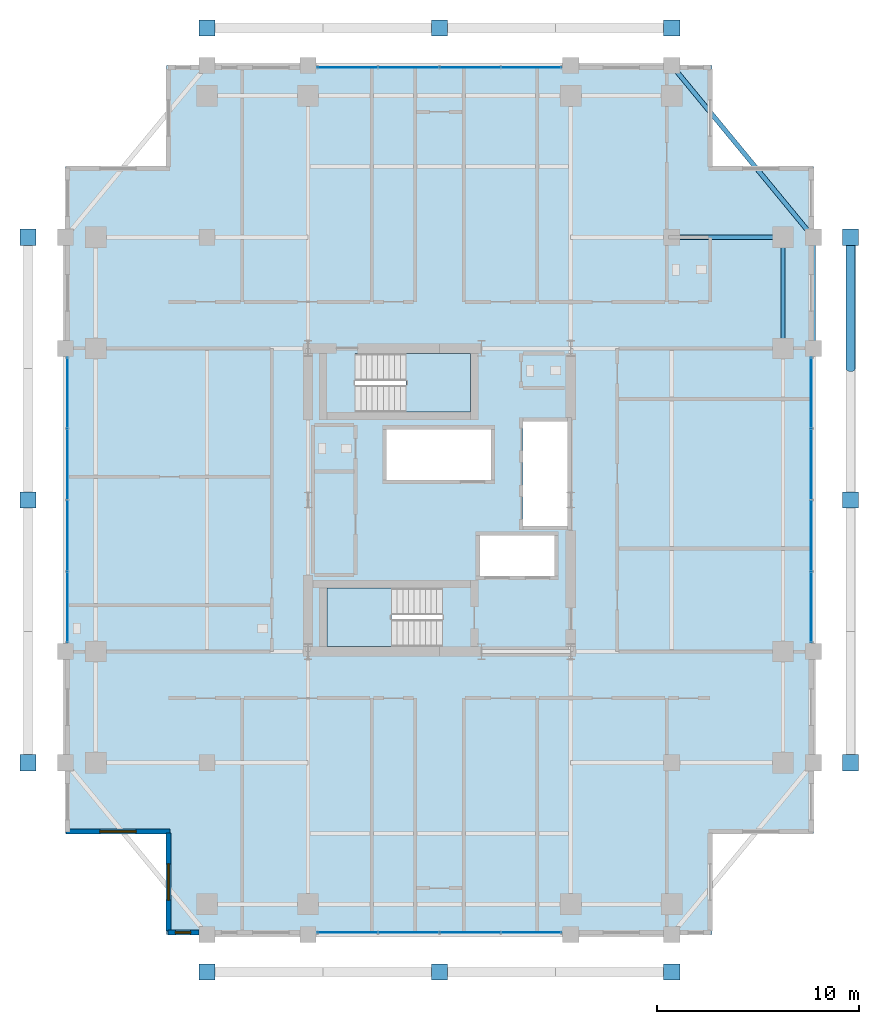
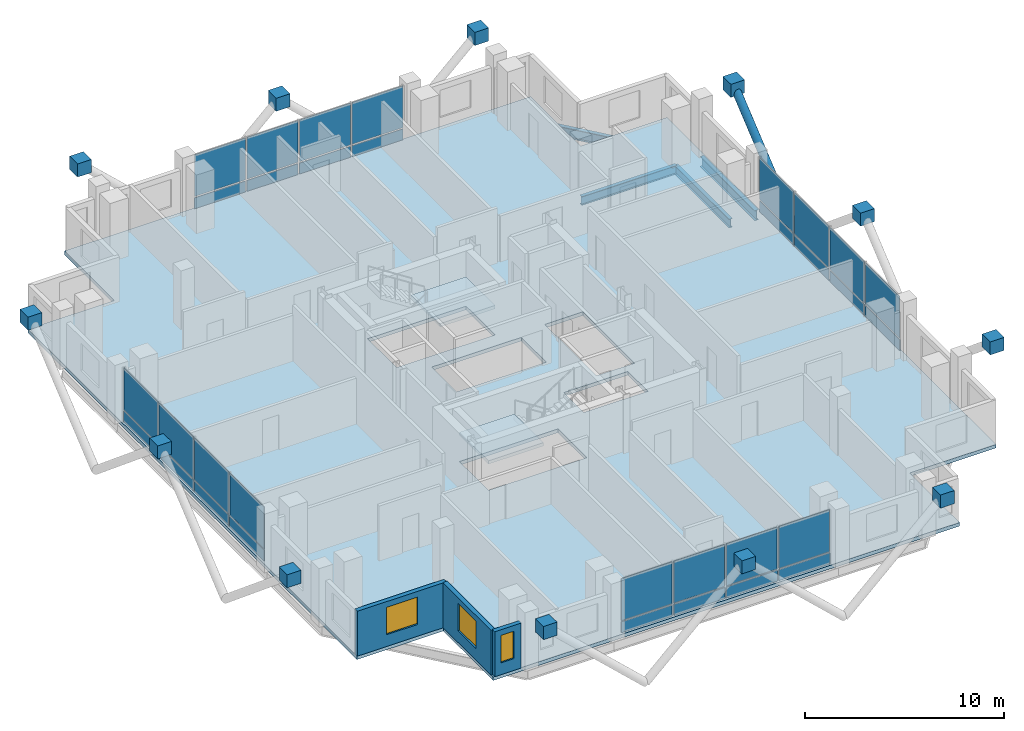
# One storey, part 17 of 23: 44 plates, 4 beams, 3 slabs, 3 walls, 3 windows, 1 member, 3 openings, 6 elements without a shape of their own.
"""IFC4 building model written with IfcOpenShell, lengths in metres."""

from ifc_helpers import new_model, si_unit, direction, frame, frame_2d, origin, origin_2d, place, context, subcontext, project, spatial, polyline, rectangle, hollow_circle, i_section, outline, extrude, material, layer, layer_set, material_profile, profile_set, type_object, element, fill, aggregate, save


model = new_model("IFC4")

# Units and contexts
model_context = context("Model", 3, precision=1e-05, world=origin(), true_north=direction((0.0, 1.0)))
body_context = subcontext(model_context, "Body", "Model", "MODEL_VIEW")
ifc_project = project(units=[si_unit("LENGTHUNIT", "METRE"), si_unit("AREAUNIT", "SQUARE_METRE"), si_unit("VOLUMEUNIT", "CUBIC_METRE"), si_unit("PLANEANGLEUNIT", "RADIAN"), si_unit("MASSUNIT", "GRAM", prefix="KILO")], contexts=[model_context])

# Site, building, storey
site_placement = place(None, origin())
site = spatial("IfcSite", under=ifc_project, at=site_placement, CompositionType="ELEMENT")
building_placement = place(site_placement, origin())
building = spatial("IfcBuilding", under=site, at=building_placement, Name="Barlavira Tower and Art Museum", CompositionType="ELEMENT")
storey_placement = place(building_placement, frame((0.0, 0.0, 205.199951171875)))
storey = spatial("IfcBuildingStorey", under=building, at=storey_placement, Name="L53", CompositionType="ELEMENT", Elevation=205.199951171875)

# Member
ifc_material_1 = material(Name="Steel S355", Category="steel")
ifc_material_profile_1 = material_profile(ifc_material_1, hollow_circle(Radius=0.228515625, WallThickness=0.02001953125, at=origin_2d()), Name="CHS 457.0x20.0")
ifc_profile_set_1 = profile_set([ifc_material_profile_1], Name="Steel S355")
member_type = type_object("IfcMemberType", Name="Pale-Metal Exoskeleton Diagrid Tube CHS 457x20 Steel S355", PredefinedType="BRACE", material=ifc_profile_set_1)
member_placement = place(storey_placement, frame((20.35009765625, 6.5, -1.919921875), z_axis=(0.0, 0.769196053329, 0.639012857104), x_axis=(-1.0, 0.0, 0.0)))
element("IfcMember", 1, at=member_placement, inside=storey, type_object=member_type, Name="L53 Exoskeleton Diagrid Tube E", PredefinedType="BRACE", context=body_context, shape_type="SweptSolid", body=[
    extrude(hollow_circle(Radius=0.228515625, WallThickness=0.02001953125, at=origin_2d()), origin(), (0.0, 0.0, 1.0), 8.450439453125),
])

# Beams
ifc_material_profile_2 = material_profile(ifc_material_1, i_section(OverallWidth=0.22998046875, OverallDepth=0.616943359375, WebThickness=0.01318359375, FlangeThickness=0.022216796875, at=origin_2d()), Name="W610x140.0")
ifc_profile_set_2 = profile_set([ifc_material_profile_2], Name="Steel S355")
beam_type_1 = type_object("IfcBeamType", Name="Upper Shaft Spandrel Edge Beam W610x140 Steel S355", PredefinedType="SPANDREL", material=ifc_profile_set_2)
beam_1_placement = place(storey_placement, frame((18.5, 7.5, -0.528564453125), z_axis=(0.0, 1.0, 0.0), x_axis=(-1.0, 0.0, 0.0)))
element("IfcBeam", 2, at=beam_1_placement, inside=storey, type_object=beam_type_1, Name="L53 Spandrel 7", PredefinedType="SPANDREL", context=body_context, shape_type="SweptSolid", body=[
    extrude(i_section(OverallWidth=0.22998046875, OverallDepth=0.616943359375, WebThickness=0.01318359375, FlangeThickness=0.022216796875, at=origin_2d()), origin(), (0.0, 0.0, 1.0), 5.5),
])
beam_2_placement = place(storey_placement, frame((18.5, 13.0, -0.528564453125), z_axis=(-0.635707252861, 0.771930235617, 0.0), x_axis=(-0.771930235617, -0.635707252861, 0.0)))
element("IfcBeam", 3, at=beam_2_placement, inside=storey, type_object=beam_type_1, Name="L53 Spandrel 8", PredefinedType="SPANDREL", context=body_context, shape_type="SweptSolid", body=[
    extrude(i_section(OverallWidth=0.22998046875, OverallDepth=0.616943359375, WebThickness=0.01318359375, FlangeThickness=0.022216796875, at=origin_2d()), origin(), (0.0, 0.0, 1.0), 11.011474609375),
])
ifc_material_profile_3 = material_profile(ifc_material_1, i_section(OverallWidth=0.2109375, OverallDepth=0.5390625, WebThickness=0.01171875, FlangeThickness=0.018798828125, at=origin_2d()), Name="W530x109.0")
ifc_profile_set_3 = profile_set([ifc_material_profile_3], Name="Steel S355")
beam_type_2 = type_object("IfcBeamType", Name="Zone 3-4 Primary Floor Girder W530x109 Steel S355", PredefinedType="BEAM", material=ifc_profile_set_3)
for number, where, z_axis, x_axis, name in (
    (4, (17.0, 7.5, -0.489501953125), (0.0, 1.0, 0.0), (-1.0, 0.0, 0.0), "L53 Girder M-E3"),
    (5, (11.5, 13.0, -0.489501953125), (1.0, 0.0, 0.0), (0.0, 1.0, 0.0), "L53 Girder I-N4"),
):
    element("IfcBeam", number, at=place(storey_placement, frame(where, z_axis=z_axis, x_axis=x_axis)), inside=storey, type_object=beam_type_2, Name=name, PredefinedType="BEAM", context=body_context, shape_type="SweptSolid", body=[
        extrude(i_section(OverallWidth=0.2109375, OverallDepth=0.5390625, WebThickness=0.01171875, FlangeThickness=0.018798828125, at=origin_2d()), origin(), (0.0, 0.0, 1.0), 5.5),
    ])

# Curtain wall, plates
ifc_material_2 = material(Name="Low-iron coastal laminated glass", Category="glass")
ifc_layer_1 = layer(ifc_material_2, 0.199951171875, Name="Low-iron coastal laminated glass")
ifc_layer_set_1 = layer_set([ifc_layer_1], Name="Low-iron coastal laminated glass")
curtain_wall_type = type_object("IfcCurtainWallType", Name="Pale-Metal Unitised Curtain Wall Zone 3", PredefinedType="NOTDEFINED", material=ifc_layer_set_1)
curtain_wall_1_placement = place(storey_placement, origin())
curtain_wall_1 = element("IfcCurtainWall", 6, at=curtain_wall_1_placement, inside=storey, type_object=curtain_wall_type, Name="L53 Curtain Wall CW3-L53-S-B3", PredefinedType="NOTDEFINED")
ifc_material_3 = material(Name="Pale anodised aluminium", Category="aluminium")
ifc_layer_2 = layer(ifc_material_3, 0.044921875, Name="Pale anodised aluminium")
ifc_layer_set_2 = layer_set([ifc_layer_2], Name="Pale anodised aluminium")
plate_type_1 = type_object("IfcPlateType", Name="Curtain Wall Pale-Metal Spandrel Panel 45", PredefinedType="CURTAIN_PANEL", material=ifc_layer_set_2)
plate_1_placement = place(storey_placement, frame((-4.56005859375, -21.39990234375, 0.0400390625), z_axis=(0.0, 0.0, 1.0), x_axis=(1.0, 0.0, 0.0)))
plate_1 = element("IfcPlate", 7, at=plate_1_placement, type_object=plate_type_1, Name="CW3-L53-S-B3 Spandrel Panel 0", PredefinedType="CURTAIN_PANEL", context=body_context, shape_type="SweptSolid", body=[
    extrude(rectangle(XDim=2.93994140625, YDim=0.044921875, at=origin_2d()), origin(), (0.0, 0.0, 1.0), 0.6640625),
])
plate_2_placement = place(storey_placement, frame((-1.52001953125, -21.39990234375, 0.0400390625), z_axis=(0.0, 0.0, 1.0), x_axis=(1.0, 0.0, 0.0)))
plate_2 = element("IfcPlate", 8, at=plate_2_placement, type_object=plate_type_1, Name="CW3-L53-S-B3 Spandrel Panel 1", PredefinedType="CURTAIN_PANEL", context=body_context, shape_type="SweptSolid", body=[
    extrude(rectangle(XDim=2.93994140625, YDim=0.044921875, at=origin_2d()), origin(), (0.0, 0.0, 1.0), 0.6640625),
])
plate_3_placement = place(storey_placement, frame((1.52001953125, -21.39990234375, 0.0400390625), z_axis=(0.0, 0.0, 1.0), x_axis=(1.0, 0.0, 0.0)))
plate_3 = element("IfcPlate", 9, at=plate_3_placement, type_object=plate_type_1, Name="CW3-L53-S-B3 Spandrel Panel 2", PredefinedType="CURTAIN_PANEL", context=body_context, shape_type="SweptSolid", body=[
    extrude(rectangle(XDim=2.93994140625, YDim=0.044921875, at=origin_2d()), origin(), (0.0, 0.0, 1.0), 0.6640625),
])
plate_4_placement = place(storey_placement, frame((4.56005859375, -21.39990234375, 0.0400390625), z_axis=(0.0, 0.0, 1.0), x_axis=(1.0, 0.0, 0.0)))
plate_4 = element("IfcPlate", 10, at=plate_4_placement, type_object=plate_type_1, Name="CW3-L53-S-B3 Spandrel Panel 3", PredefinedType="CURTAIN_PANEL", context=body_context, shape_type="SweptSolid", body=[
    extrude(rectangle(XDim=2.93994140625, YDim=0.044921875, at=origin_2d()), origin(), (0.0, 0.0, 1.0), 0.6640625),
])

curtain_wall_2_placement = place(storey_placement, origin())
curtain_wall_2 = element("IfcCurtainWall", 11, at=curtain_wall_2_placement, inside=storey, type_object=curtain_wall_type, Name="L53 Curtain Wall CW3-L53-N-B3", PredefinedType="NOTDEFINED")
plate_5_placement = place(storey_placement, frame((4.56005859375, 21.39990234375, 0.0400390625), z_axis=(0.0, 0.0, 1.0), x_axis=(-1.0, 0.0, 0.0)))
plate_5 = element("IfcPlate", 12, at=plate_5_placement, type_object=plate_type_1, Name="CW3-L53-N-B3 Spandrel Panel 0", PredefinedType="CURTAIN_PANEL", context=body_context, shape_type="SweptSolid", body=[
    extrude(rectangle(XDim=2.93994140625, YDim=0.044921875, at=origin_2d()), origin(), (0.0, 0.0, 1.0), 0.6640625),
])
plate_6_placement = place(storey_placement, frame((1.52001953125, 21.39990234375, 0.0400390625), z_axis=(0.0, 0.0, 1.0), x_axis=(-1.0, 0.0, 0.0)))
plate_6 = element("IfcPlate", 13, at=plate_6_placement, type_object=plate_type_1, Name="CW3-L53-N-B3 Spandrel Panel 1", PredefinedType="CURTAIN_PANEL", context=body_context, shape_type="SweptSolid", body=[
    extrude(rectangle(XDim=2.93994140625, YDim=0.044921875, at=origin_2d()), origin(), (0.0, 0.0, 1.0), 0.6640625),
])
plate_7_placement = place(storey_placement, frame((-1.52001953125, 21.39990234375, 0.0400390625), z_axis=(0.0, 0.0, 1.0), x_axis=(-1.0, 0.0, 0.0)))
plate_7 = element("IfcPlate", 14, at=plate_7_placement, type_object=plate_type_1, Name="CW3-L53-N-B3 Spandrel Panel 2", PredefinedType="CURTAIN_PANEL", context=body_context, shape_type="SweptSolid", body=[
    extrude(rectangle(XDim=2.93994140625, YDim=0.044921875, at=origin_2d()), origin(), (0.0, 0.0, 1.0), 0.6640625),
])
plate_8_placement = place(storey_placement, frame((-4.56005859375, 21.39990234375, 0.0400390625), z_axis=(0.0, 0.0, 1.0), x_axis=(-1.0, 0.0, 0.0)))
plate_8 = element("IfcPlate", 15, at=plate_8_placement, type_object=plate_type_1, Name="CW3-L53-N-B3 Spandrel Panel 3", PredefinedType="CURTAIN_PANEL", context=body_context, shape_type="SweptSolid", body=[
    extrude(rectangle(XDim=2.93994140625, YDim=0.044921875, at=origin_2d()), origin(), (0.0, 0.0, 1.0), 0.6640625),
])

curtain_wall_3_placement = place(storey_placement, origin())
curtain_wall_3 = element("IfcCurtainWall", 16, at=curtain_wall_3_placement, inside=storey, type_object=curtain_wall_type, Name="L53 Curtain Wall CW3-L53-W-B3", PredefinedType="NOTDEFINED")
plate_9_placement = place(storey_placement, frame((-18.39990234375, 5.31005859375, 0.0400390625), z_axis=(0.0, 0.0, 1.0), x_axis=(0.0, -1.0, 0.0)))
plate_9 = element("IfcPlate", 17, at=plate_9_placement, type_object=plate_type_1, Name="CW3-L53-W-B3 Spandrel Panel 0", PredefinedType="CURTAIN_PANEL", context=body_context, shape_type="SweptSolid", body=[
    extrude(rectangle(XDim=3.43994140625, YDim=0.044921875, at=origin_2d()), origin(), (0.0, 0.0, 1.0), 0.6640625),
])
plate_10_placement = place(storey_placement, frame((-18.39990234375, 1.77001953125, 0.0400390625), z_axis=(0.0, 0.0, 1.0), x_axis=(0.0, -1.0, 0.0)))
plate_10 = element("IfcPlate", 18, at=plate_10_placement, type_object=plate_type_1, Name="CW3-L53-W-B3 Spandrel Panel 1", PredefinedType="CURTAIN_PANEL", context=body_context, shape_type="SweptSolid", body=[
    extrude(rectangle(XDim=3.43994140625, YDim=0.044921875, at=origin_2d()), origin(), (0.0, 0.0, 1.0), 0.6640625),
])
plate_11_placement = place(storey_placement, frame((-18.39990234375, -1.77001953125, 0.0400390625), z_axis=(0.0, 0.0, 1.0), x_axis=(0.0, -1.0, 0.0)))
plate_11 = element("IfcPlate", 19, at=plate_11_placement, type_object=plate_type_1, Name="CW3-L53-W-B3 Spandrel Panel 2", PredefinedType="CURTAIN_PANEL", context=body_context, shape_type="SweptSolid", body=[
    extrude(rectangle(XDim=3.43994140625, YDim=0.044921875, at=origin_2d()), origin(), (0.0, 0.0, 1.0), 0.6640625),
])
plate_12_placement = place(storey_placement, frame((-18.39990234375, -5.31005859375, 0.0400390625), z_axis=(0.0, 0.0, 1.0), x_axis=(0.0, -1.0, 0.0)))
plate_12 = element("IfcPlate", 20, at=plate_12_placement, type_object=plate_type_1, Name="CW3-L53-W-B3 Spandrel Panel 3", PredefinedType="CURTAIN_PANEL", context=body_context, shape_type="SweptSolid", body=[
    extrude(rectangle(XDim=3.43994140625, YDim=0.044921875, at=origin_2d()), origin(), (0.0, 0.0, 1.0), 0.6640625),
])

curtain_wall_4_placement = place(storey_placement, origin())
curtain_wall_4 = element("IfcCurtainWall", 21, at=curtain_wall_4_placement, inside=storey, type_object=curtain_wall_type, Name="L53 Curtain Wall CW3-L53-E-B3", PredefinedType="NOTDEFINED")
plate_13_placement = place(storey_placement, frame((18.39990234375, -5.31005859375, 0.0400390625), z_axis=(0.0, 0.0, 1.0), x_axis=(0.0, 1.0, 0.0)))
plate_13 = element("IfcPlate", 22, at=plate_13_placement, type_object=plate_type_1, Name="CW3-L53-E-B3 Spandrel Panel 0", PredefinedType="CURTAIN_PANEL", context=body_context, shape_type="SweptSolid", body=[
    extrude(rectangle(XDim=3.43994140625, YDim=0.044921875, at=origin_2d()), origin(), (0.0, 0.0, 1.0), 0.6640625),
])
plate_14_placement = place(storey_placement, frame((18.39990234375, -1.77001953125, 0.0400390625), z_axis=(0.0, 0.0, 1.0), x_axis=(0.0, 1.0, 0.0)))
plate_14 = element("IfcPlate", 23, at=plate_14_placement, type_object=plate_type_1, Name="CW3-L53-E-B3 Spandrel Panel 1", PredefinedType="CURTAIN_PANEL", context=body_context, shape_type="SweptSolid", body=[
    extrude(rectangle(XDim=3.43994140625, YDim=0.044921875, at=origin_2d()), origin(), (0.0, 0.0, 1.0), 0.6640625),
])
plate_15_placement = place(storey_placement, frame((18.39990234375, 1.77001953125, 0.0400390625), z_axis=(0.0, 0.0, 1.0), x_axis=(0.0, 1.0, 0.0)))
plate_15 = element("IfcPlate", 24, at=plate_15_placement, type_object=plate_type_1, Name="CW3-L53-E-B3 Spandrel Panel 2", PredefinedType="CURTAIN_PANEL", context=body_context, shape_type="SweptSolid", body=[
    extrude(rectangle(XDim=3.43994140625, YDim=0.044921875, at=origin_2d()), origin(), (0.0, 0.0, 1.0), 0.6640625),
])
plate_16_placement = place(storey_placement, frame((18.39990234375, 5.31005859375, 0.0400390625), z_axis=(0.0, 0.0, 1.0), x_axis=(0.0, 1.0, 0.0)))
plate_16 = element("IfcPlate", 25, at=plate_16_placement, type_object=plate_type_1, Name="CW3-L53-E-B3 Spandrel Panel 3", PredefinedType="CURTAIN_PANEL", context=body_context, shape_type="SweptSolid", body=[
    extrude(rectangle(XDim=3.43994140625, YDim=0.044921875, at=origin_2d()), origin(), (0.0, 0.0, 1.0), 0.6640625),
])

# Plate
ifc_layer_3 = layer(ifc_material_2, 0.028076171875, Name="Low-iron coastal laminated glass")
ifc_layer_set_3 = layer_set([ifc_layer_3], Name="Low-iron coastal laminated glass")
plate_type_2 = type_object("IfcPlateType", Name="Curtain Wall Vision Glazing Panel 28", PredefinedType="CURTAIN_PANEL", material=ifc_layer_set_3)
plate_17_placement = place(storey_placement, frame((-4.56005859375, -21.39990234375, 0.7841796875), z_axis=(0.0, 0.0, 1.0), x_axis=(1.0, 0.0, 0.0)))
plate_17 = element("IfcPlate", 26, at=plate_17_placement, type_object=plate_type_2, Name="CW3-L53-S-B3 Vision Glass Panel 0", PredefinedType="CURTAIN_PANEL", context=body_context, shape_type="SweptSolid", body=[
    extrude(rectangle(XDim=2.93994140625, YDim=0.028076171875, at=origin_2d()), origin(), (0.0, 0.0, 1.0), 2.555908203125),
])

plate_18_placement = place(storey_placement, frame((-1.52001953125, -21.39990234375, 0.7841796875), z_axis=(0.0, 0.0, 1.0), x_axis=(1.0, 0.0, 0.0)))
plate_18 = element("IfcPlate", 27, at=plate_18_placement, type_object=plate_type_2, Name="CW3-L53-S-B3 Vision Glass Panel 1", PredefinedType="CURTAIN_PANEL", context=body_context, shape_type="SweptSolid", body=[
    extrude(rectangle(XDim=2.93994140625, YDim=0.028076171875, at=origin_2d()), origin(), (0.0, 0.0, 1.0), 2.555908203125),
])

plate_19_placement = place(storey_placement, frame((1.52001953125, -21.39990234375, 0.7841796875), z_axis=(0.0, 0.0, 1.0), x_axis=(1.0, 0.0, 0.0)))
plate_19 = element("IfcPlate", 28, at=plate_19_placement, type_object=plate_type_2, Name="CW3-L53-S-B3 Vision Glass Panel 2", PredefinedType="CURTAIN_PANEL", context=body_context, shape_type="SweptSolid", body=[
    extrude(rectangle(XDim=2.93994140625, YDim=0.028076171875, at=origin_2d()), origin(), (0.0, 0.0, 1.0), 2.555908203125),
])

plate_20_placement = place(storey_placement, frame((4.56005859375, -21.39990234375, 0.7841796875), z_axis=(0.0, 0.0, 1.0), x_axis=(1.0, 0.0, 0.0)))
plate_20 = element("IfcPlate", 29, at=plate_20_placement, type_object=plate_type_2, Name="CW3-L53-S-B3 Vision Glass Panel 3", PredefinedType="CURTAIN_PANEL", context=body_context, shape_type="SweptSolid", body=[
    extrude(rectangle(XDim=2.93994140625, YDim=0.028076171875, at=origin_2d()), origin(), (0.0, 0.0, 1.0), 2.555908203125),
])

aggregate(curtain_wall_1, [plate_1, plate_17, plate_2, plate_18, plate_3, plate_19, plate_4, plate_20])

plate_21_placement = place(storey_placement, frame((4.56005859375, 21.39990234375, 0.7841796875), z_axis=(0.0, 0.0, 1.0), x_axis=(-1.0, 0.0, 0.0)))
plate_21 = element("IfcPlate", 30, at=plate_21_placement, type_object=plate_type_2, Name="CW3-L53-N-B3 Vision Glass Panel 0", PredefinedType="CURTAIN_PANEL", context=body_context, shape_type="SweptSolid", body=[
    extrude(rectangle(XDim=2.93994140625, YDim=0.028076171875, at=origin_2d()), origin(), (0.0, 0.0, 1.0), 2.555908203125),
])

plate_22_placement = place(storey_placement, frame((1.52001953125, 21.39990234375, 0.7841796875), z_axis=(0.0, 0.0, 1.0), x_axis=(-1.0, 0.0, 0.0)))
plate_22 = element("IfcPlate", 31, at=plate_22_placement, type_object=plate_type_2, Name="CW3-L53-N-B3 Vision Glass Panel 1", PredefinedType="CURTAIN_PANEL", context=body_context, shape_type="SweptSolid", body=[
    extrude(rectangle(XDim=2.93994140625, YDim=0.028076171875, at=origin_2d()), origin(), (0.0, 0.0, 1.0), 2.555908203125),
])

plate_23_placement = place(storey_placement, frame((-1.52001953125, 21.39990234375, 0.7841796875), z_axis=(0.0, 0.0, 1.0), x_axis=(-1.0, 0.0, 0.0)))
plate_23 = element("IfcPlate", 32, at=plate_23_placement, type_object=plate_type_2, Name="CW3-L53-N-B3 Vision Glass Panel 2", PredefinedType="CURTAIN_PANEL", context=body_context, shape_type="SweptSolid", body=[
    extrude(rectangle(XDim=2.93994140625, YDim=0.028076171875, at=origin_2d()), origin(), (0.0, 0.0, 1.0), 2.555908203125),
])

plate_24_placement = place(storey_placement, frame((-4.56005859375, 21.39990234375, 0.7841796875), z_axis=(0.0, 0.0, 1.0), x_axis=(-1.0, 0.0, 0.0)))
plate_24 = element("IfcPlate", 33, at=plate_24_placement, type_object=plate_type_2, Name="CW3-L53-N-B3 Vision Glass Panel 3", PredefinedType="CURTAIN_PANEL", context=body_context, shape_type="SweptSolid", body=[
    extrude(rectangle(XDim=2.93994140625, YDim=0.028076171875, at=origin_2d()), origin(), (0.0, 0.0, 1.0), 2.555908203125),
])

aggregate(curtain_wall_2, [plate_5, plate_21, plate_6, plate_22, plate_7, plate_23, plate_8, plate_24])

plate_25_placement = place(storey_placement, frame((-18.39990234375, 5.31005859375, 0.7841796875), z_axis=(0.0, 0.0, 1.0), x_axis=(0.0, -1.0, 0.0)))
plate_25 = element("IfcPlate", 34, at=plate_25_placement, type_object=plate_type_2, Name="CW3-L53-W-B3 Vision Glass Panel 0", PredefinedType="CURTAIN_PANEL", context=body_context, shape_type="SweptSolid", body=[
    extrude(rectangle(XDim=3.43994140625, YDim=0.028076171875, at=origin_2d()), origin(), (0.0, 0.0, 1.0), 2.555908203125),
])

plate_26_placement = place(storey_placement, frame((-18.39990234375, 1.77001953125, 0.7841796875), z_axis=(0.0, 0.0, 1.0), x_axis=(0.0, -1.0, 0.0)))
plate_26 = element("IfcPlate", 35, at=plate_26_placement, type_object=plate_type_2, Name="CW3-L53-W-B3 Vision Glass Panel 1", PredefinedType="CURTAIN_PANEL", context=body_context, shape_type="SweptSolid", body=[
    extrude(rectangle(XDim=3.43994140625, YDim=0.028076171875, at=origin_2d()), origin(), (0.0, 0.0, 1.0), 2.555908203125),
])

plate_27_placement = place(storey_placement, frame((-18.39990234375, -1.77001953125, 0.7841796875), z_axis=(0.0, 0.0, 1.0), x_axis=(0.0, -1.0, 0.0)))
plate_27 = element("IfcPlate", 36, at=plate_27_placement, type_object=plate_type_2, Name="CW3-L53-W-B3 Vision Glass Panel 2", PredefinedType="CURTAIN_PANEL", context=body_context, shape_type="SweptSolid", body=[
    extrude(rectangle(XDim=3.43994140625, YDim=0.028076171875, at=origin_2d()), origin(), (0.0, 0.0, 1.0), 2.555908203125),
])

plate_28_placement = place(storey_placement, frame((-18.39990234375, -5.31005859375, 0.7841796875), z_axis=(0.0, 0.0, 1.0), x_axis=(0.0, -1.0, 0.0)))
plate_28 = element("IfcPlate", 37, at=plate_28_placement, type_object=plate_type_2, Name="CW3-L53-W-B3 Vision Glass Panel 3", PredefinedType="CURTAIN_PANEL", context=body_context, shape_type="SweptSolid", body=[
    extrude(rectangle(XDim=3.43994140625, YDim=0.028076171875, at=origin_2d()), origin(), (0.0, 0.0, 1.0), 2.555908203125),
])

aggregate(curtain_wall_3, [plate_9, plate_25, plate_10, plate_26, plate_11, plate_27, plate_12, plate_28])

plate_29_placement = place(storey_placement, frame((18.39990234375, -5.31005859375, 0.7841796875), z_axis=(0.0, 0.0, 1.0), x_axis=(0.0, 1.0, 0.0)))
plate_29 = element("IfcPlate", 38, at=plate_29_placement, type_object=plate_type_2, Name="CW3-L53-E-B3 Vision Glass Panel 0", PredefinedType="CURTAIN_PANEL", context=body_context, shape_type="SweptSolid", body=[
    extrude(rectangle(XDim=3.43994140625, YDim=0.028076171875, at=origin_2d()), origin(), (0.0, 0.0, 1.0), 2.555908203125),
])

plate_30_placement = place(storey_placement, frame((18.39990234375, -1.77001953125, 0.7841796875), z_axis=(0.0, 0.0, 1.0), x_axis=(0.0, 1.0, 0.0)))
plate_30 = element("IfcPlate", 39, at=plate_30_placement, type_object=plate_type_2, Name="CW3-L53-E-B3 Vision Glass Panel 1", PredefinedType="CURTAIN_PANEL", context=body_context, shape_type="SweptSolid", body=[
    extrude(rectangle(XDim=3.43994140625, YDim=0.028076171875, at=origin_2d()), origin(), (0.0, 0.0, 1.0), 2.555908203125),
])

plate_31_placement = place(storey_placement, frame((18.39990234375, 1.77001953125, 0.7841796875), z_axis=(0.0, 0.0, 1.0), x_axis=(0.0, 1.0, 0.0)))
plate_31 = element("IfcPlate", 40, at=plate_31_placement, type_object=plate_type_2, Name="CW3-L53-E-B3 Vision Glass Panel 2", PredefinedType="CURTAIN_PANEL", context=body_context, shape_type="SweptSolid", body=[
    extrude(rectangle(XDim=3.43994140625, YDim=0.028076171875, at=origin_2d()), origin(), (0.0, 0.0, 1.0), 2.555908203125),
])

plate_32_placement = place(storey_placement, frame((18.39990234375, 5.31005859375, 0.7841796875), z_axis=(0.0, 0.0, 1.0), x_axis=(0.0, 1.0, 0.0)))
plate_32 = element("IfcPlate", 41, at=plate_32_placement, type_object=plate_type_2, Name="CW3-L53-E-B3 Vision Glass Panel 3", PredefinedType="CURTAIN_PANEL", context=body_context, shape_type="SweptSolid", body=[
    extrude(rectangle(XDim=3.43994140625, YDim=0.028076171875, at=origin_2d()), origin(), (0.0, 0.0, 1.0), 2.555908203125),
])

aggregate(curtain_wall_4, [plate_13, plate_29, plate_14, plate_30, plate_15, plate_31, plate_16, plate_32])

# Plates
ifc_layer_4 = layer(ifc_material_1, 0.800048828125, Name="Steel S355")
ifc_layer_set_4 = layer_set([ifc_layer_4], Name="Steel S355")
plate_type_3 = type_object("IfcPlateType", Name="Exoskeleton Solid Steel Node Cap Plate Assembly Type 3 Steel S355", PredefinedType="USERDEFINED", material=ifc_layer_set_4)
for number, where, z_axis, x_axis, name in (
    (42, (-11.5, -23.35009765625, 3.080078125), (0.0, 0.0, 1.0), (1.0, 0.0, 0.0), "Exoskeleton Node S ND-L53-0549"),
    (43, (0.0, -23.35009765625, 3.080078125), (0.0, 0.0, 1.0), (1.0, 0.0, 0.0), "Exoskeleton Node S ND-L53-0550"),
    (44, (11.5, -23.35009765625, 3.080078125), (0.0, 0.0, 1.0), (1.0, 0.0, 0.0), "Exoskeleton Node S ND-L53-0551"),
    (45, (-11.5, 23.35009765625, 3.080078125), (0.0, 0.0, 1.0), (1.0, 0.0, 0.0), "Exoskeleton Node N ND-L53-0557"),
    (46, (0.0, 23.35009765625, 3.080078125), (0.0, 0.0, 1.0), (1.0, 0.0, 0.0), "Exoskeleton Node N ND-L53-0558"),
    (47, (11.5, 23.35009765625, 3.080078125), (0.0, 0.0, 1.0), (1.0, 0.0, 0.0), "Exoskeleton Node N ND-L53-0559"),
    (48, (-20.35009765625, -13.0, 3.080078125), (0.0, 0.0, 1.0), (1.0, 0.0, 0.0), "Exoskeleton Node W ND-L53-0565"),
    (49, (-20.35009765625, 0.0, 3.080078125), (0.0, 0.0, 1.0), (1.0, 0.0, 0.0), "Exoskeleton Node W ND-L53-0566"),
    (50, (-20.35009765625, 13.0, 3.080078125), (0.0, 0.0, 1.0), (1.0, 0.0, 0.0), "Exoskeleton Node W ND-L53-0567"),
    (51, (20.35009765625, -13.0, 3.080078125), (0.0, 0.0, 1.0), (1.0, 0.0, 0.0), "Exoskeleton Node E ND-L53-0573"),
    (52, (20.35009765625, 0.0, 3.080078125), (0.0, 0.0, 1.0), (1.0, 0.0, 0.0), "Exoskeleton Node E ND-L53-0574"),
    (53, (20.35009765625, 13.0, 3.080078125), (0.0, 0.0, 1.0), (1.0, 0.0, 0.0), "Exoskeleton Node E ND-L53-0575"),
):
    element("IfcPlate", number, at=place(storey_placement, frame(where, z_axis=z_axis, x_axis=x_axis)), inside=storey, type_object=plate_type_3, Name=name, ObjectType="FLANGE_PLATE", PredefinedType="USERDEFINED", context=body_context, shape_type="SweptSolid", body=[
        extrude(rectangle(XDim=0.800048828125, YDim=0.800048828125, at=origin_2d()), origin(), (0.0, 0.0, 1.0), 0.800048828125),
    ])

# Stair, slab
ifc_material_4 = material(Name="Concrete C45", Category="concrete")
stair_type_1 = type_object("IfcStairType", Name="Tower North Dog-Leg Exit Stair Assembly Concrete C45", PredefinedType="TWO_QUARTER_TURN_STAIR", material=ifc_material_4)
stair_1_placement = place(storey_placement, origin())
stair_1 = element("IfcStair", 54, at=stair_1_placement, inside=storey, type_object=stair_type_1, Name="L53 Tower North Exit Stair ST-T2", PredefinedType="TWO_QUARTER_TURN_STAIR")
ifc_layer_5 = layer(ifc_material_4, 0.199951171875, Name="Concrete C45")
ifc_layer_set_5 = layer_set([ifc_layer_5], Name="Concrete C45")
slab_type_1 = type_object("IfcSlabType", Name="Tower North Dog-Leg Exit Stair Half-Landing Slab 200 Concrete C45", PredefinedType="LANDING", material=ifc_layer_set_5)
slab_1_placement = place(storey_placement, frame((0.0, 0.0, 1.60009765625)))
slab_1 = element("IfcSlab", 55, at=slab_1_placement, type_object=slab_type_1, Name="ST-T2 landing 1", PredefinedType="LANDING", context=body_context, shape_type="SweptSolid", body=[
    extrude(outline(polyline([(-1.64990234375, 4.35009765625), (1.530029296875, 4.35009765625), (1.530029296875, 7.25), (-1.64990234375, 7.25), (-1.64990234375, 4.35009765625)])), origin(), (0.0, 0.0, 1.0), 0.199951171875),
])
aggregate(stair_1, [slab_1])

stair_type_2 = type_object("IfcStairType", Name="Tower South Dog-Leg Exit Stair Assembly Concrete C45", PredefinedType="TWO_QUARTER_TURN_STAIR", material=ifc_material_4)
stair_2_placement = place(storey_placement, origin())
stair_2 = element("IfcStair", 56, at=stair_2_placement, inside=storey, type_object=stair_type_2, Name="L53 Tower South Exit Stair ST-T1", PredefinedType="TWO_QUARTER_TURN_STAIR")
ifc_layer_6 = layer(ifc_material_4, 0.199951171875, Name="Concrete C45")
ifc_layer_set_6 = layer_set([ifc_layer_6], Name="Concrete C45")
slab_type_2 = type_object("IfcSlabType", Name="Tower South Dog-Leg Exit Stair Half-Landing Slab 200 Concrete C45", PredefinedType="LANDING", material=ifc_layer_set_6)
slab_2_placement = place(storey_placement, frame((0.0, 0.0, 1.60009765625)))
slab_2 = element("IfcSlab", 57, at=slab_2_placement, type_object=slab_type_2, Name="ST-T1 landing 1", PredefinedType="LANDING", context=body_context, shape_type="SweptSolid", body=[
    extrude(outline(polyline([(-2.3701171875, -4.35009765625), (-5.550048828125, -4.35009765625), (-5.550048828125, -7.25), (-2.3701171875, -7.25), (-2.3701171875, -4.35009765625)])), origin(), (0.0, 0.0, 1.0), 0.199951171875),
])
aggregate(stair_2, [slab_2])

# Slab
ifc_material_5 = material(Name="Concrete C50", Category="concrete")
ifc_layer_7 = layer(ifc_material_5, 0.199951171875, Name="Concrete C50")
ifc_layer_set_7 = layer_set([ifc_layer_7], Name="Concrete C50")
slab_type_3 = type_object("IfcSlabType", Name="Zone 3 Residential Composite Slab 200 Concrete C50", PredefinedType="FLOOR", material=ifc_layer_set_7)
slab_3_placement = place(storey_placement, frame((0.0, 0.0, -0.219970703125)))
element("IfcSlab", 58, at=slab_3_placement, inside=storey, type_object=slab_type_3, Name="L53 Tower Floor Slab", PredefinedType="FLOOR", context=body_context, shape_type="SweptSolid", body=[
    extrude(outline(polyline([(-13.5, -21.5), (13.5, -21.5), (13.5, -16.5), (18.5, -16.5), (18.5, 16.5), (13.5, 16.5), (13.5, 21.5), (-13.5, 21.5), (-13.5, 16.5), (-18.5, 16.5), (-18.5, -16.5), (-13.5, -16.5), (-13.5, -21.5)]), holes=[polyline([(0.14990234375, -4.35009765625), (-5.550048828125, -4.35009765625), (-5.550048828125, -7.25), (0.14990234375, -7.25), (0.14990234375, -4.35009765625)]), polyline([(-4.169921875, 4.35009765625), (1.530029296875, 4.35009765625), (1.530029296875, 7.25), (-4.169921875, 7.25), (-4.169921875, 4.35009765625)]), polyline([(4.14990234375, -1.2900390625), (6.35009765625, -1.2900390625), (6.35009765625, 3.889892578125), (4.14990234375, 3.889892578125), (4.14990234375, -1.2900390625)]), polyline([(-2.6201171875, 1.0), (2.56005859375, 1.0), (2.56005859375, 3.5), (-2.6201171875, 3.5), (-2.6201171875, 1.0)]), polyline([(2.0, -3.75), (5.699951171875, -3.75), (5.699951171875, -1.75), (2.0, -1.75), (2.0, -3.75)])]), origin(), (0.0, 0.0, 1.0), 0.219970703125),
])

# Wall, opening, window
ifc_material_6 = material(Name="Precast concrete C40", Category="concrete")
ifc_layer_8 = layer(ifc_material_6, 0.25, Name="Precast concrete C40")
ifc_layer_set_8 = layer_set([ifc_layer_8], Name="Precast concrete C40")
wall_type = type_object("IfcWallType", Name="Notched Corner Spandrel Wall 250 Precast Concrete C40", PredefinedType="SOLIDWALL", material=ifc_layer_set_8)
wall_1_placement = place(storey_placement, frame((-13.425048828125, -21.39990234375, 0.0), z_axis=(0.0, 0.0, 1.0), x_axis=(1.0, 0.0, 0.0)))
wall_1 = element("IfcWall", 59, at=wall_1_placement, inside=storey, type_object=wall_type, Name="L53 Coastal Facade Pier Wall CW3-L53-S-1", PredefinedType="SOLIDWALL", context=body_context, shape_type="SweptSolid", body=[
    extrude(rectangle(XDim=1.530029296875, YDim=0.25, at=frame_2d((0.76513671875, 0.0))), origin(), (0.0, 0.0, 1.0), 2.748046875),
])
opening_1_placement = place(wall_1_placement, frame((0.363037109375, 0.0, 0.719970703125)))
opening_1 = element("IfcOpeningElement", 60, at=opening_1_placement, cuts=wall_1, Name="Opening WN-06", PredefinedType="OPENING", context=body_context, shape_type="SweptSolid", body=[
    extrude(rectangle(XDim=0.760009765625, YDim=1.679931640625, at=frame_2d((0.3798828125, 0.83984375))), frame((0.0, 0.135009765625, 0.0), z_axis=(0.0, -1.0, 0.0), x_axis=(1.0, 0.0, 0.0)), (0.0, 0.0, 1.0), 0.27001953125),
])
window_type_1 = type_object("IfcWindowType", Name="Recessed Narrow Pier Window 760x1680", PartitioningType="SINGLE_PANEL", PredefinedType="WINDOW", material=ifc_material_2)
window_1_placement = place(opening_1_placement, origin())
window_1 = element("IfcWindow", 61, at=window_1_placement, inside=storey, type_object=window_type_1, Name="L53 Punched Facade Window EWP-CW3-L53-S-1-1", OverallHeight=1.679931640625, OverallWidth=0.760009765625, PartitioningType="SINGLE_PANEL", PredefinedType="WINDOW", context=body_context, shape_type="SweptSolid", body=[
    extrude(rectangle(XDim=0.760009765625, YDim=1.679931640625, at=frame_2d((0.3798828125, 0.83984375))), frame((0.0, 0.030029296875, 0.0), z_axis=(0.0, -1.0, 0.0), x_axis=(1.0, 0.0, 0.0)), (0.0, 0.0, 1.0), 0.06005859375),
])
fill(opening_1, window_1)

wall_2_placement = place(storey_placement, frame((-18.47998046875, -16.39990234375, 0.0), z_axis=(0.0, 0.0, 1.0), x_axis=(1.0, 0.0, 0.0)))
wall_2 = element("IfcWall", 62, at=wall_2_placement, inside=storey, type_object=wall_type, Name="L53 Notch Corner Wall SW1", PredefinedType="SOLIDWALL", context=body_context, shape_type="SweptSolid", body=[
    extrude(rectangle(XDim=5.159912109375, YDim=0.25, at=frame_2d((2.580078125, 0.0))), origin(), (0.0, 0.0, 1.0), 2.748046875),
])
opening_2_placement = place(wall_2_placement, frame((1.679931640625, 0.0, 0.719970703125)))
opening_2 = element("IfcOpeningElement", 63, at=opening_2_placement, cuts=wall_2, Name="Opening WN-01", PredefinedType="OPENING", context=body_context, shape_type="SweptSolid", body=[
    extrude(rectangle(XDim=1.800048828125, YDim=1.679931640625, at=frame_2d((0.89990234375, 0.83984375))), frame((0.0, 0.135009765625, 0.0), z_axis=(0.0, -1.0, 0.0), x_axis=(1.0, 0.0, 0.0)), (0.0, 0.0, 1.0), 0.27001953125),
])
window_type_2 = type_object("IfcWindowType", Name="Recessed Notch Corner Punch Window 1800x1680", PartitioningType="SINGLE_PANEL", PredefinedType="WINDOW", material=ifc_material_2)
window_2_placement = place(opening_2_placement, origin())
window_2 = element("IfcWindow", 64, at=window_2_placement, inside=storey, type_object=window_type_2, Name="L53 Punched Facade Window EW-NTC-L53-SW1-1", OverallHeight=1.679931640625, OverallWidth=1.800048828125, PartitioningType="SINGLE_PANEL", PredefinedType="WINDOW", context=body_context, shape_type="SweptSolid", body=[
    extrude(rectangle(XDim=1.800048828125, YDim=1.679931640625, at=frame_2d((0.89990234375, 0.83984375))), frame((0.0, 0.030029296875, 0.0), z_axis=(0.0, -1.0, 0.0), x_axis=(1.0, 0.0, 0.0)), (0.0, 0.0, 1.0), 0.06005859375),
])
fill(opening_2, window_2)

wall_3_placement = place(storey_placement, frame((-13.39990234375, -16.47998046875, 0.0), z_axis=(0.0, 0.0, 1.0), x_axis=(0.0, -1.0, 0.0)))
wall_3 = element("IfcWall", 65, at=wall_3_placement, inside=storey, type_object=wall_type, Name="L53 Notch Corner Wall SW2", PredefinedType="SOLIDWALL", context=body_context, shape_type="SweptSolid", body=[
    extrude(rectangle(XDim=4.840087890625, YDim=0.25, at=frame_2d((2.419921875, 0.0))), origin(), (0.0, 0.0, 1.0), 2.748046875),
])
opening_3_placement = place(wall_3_placement, frame((1.52001953125, 0.0, 0.719970703125)))
opening_3 = element("IfcOpeningElement", 66, at=opening_3_placement, cuts=wall_3, Name="Opening WN-01", PredefinedType="OPENING", context=body_context, shape_type="SweptSolid", body=[
    extrude(rectangle(XDim=1.800048828125, YDim=1.679931640625, at=frame_2d((0.89990234375, 0.83984375))), frame((0.0, 0.135009765625, 0.0), z_axis=(0.0, -1.0, 0.0), x_axis=(1.0, 0.0, 0.0)), (0.0, 0.0, 1.0), 0.27001953125),
])
window_3_placement = place(opening_3_placement, origin())
window_3 = element("IfcWindow", 67, at=window_3_placement, inside=storey, type_object=window_type_2, Name="L53 Punched Facade Window EW-NTC-L53-SW2-1", OverallHeight=1.679931640625, OverallWidth=1.800048828125, PartitioningType="SINGLE_PANEL", PredefinedType="WINDOW", context=body_context, shape_type="SweptSolid", body=[
    extrude(rectangle(XDim=1.800048828125, YDim=1.679931640625, at=frame_2d((0.89990234375, 0.83984375))), frame((0.0, 0.030029296875, 0.0), z_axis=(0.0, -1.0, 0.0), x_axis=(1.0, 0.0, 0.0)), (0.0, 0.0, 1.0), 0.06005859375),
])
fill(opening_3, window_3)

save(model, "model.ifc")
